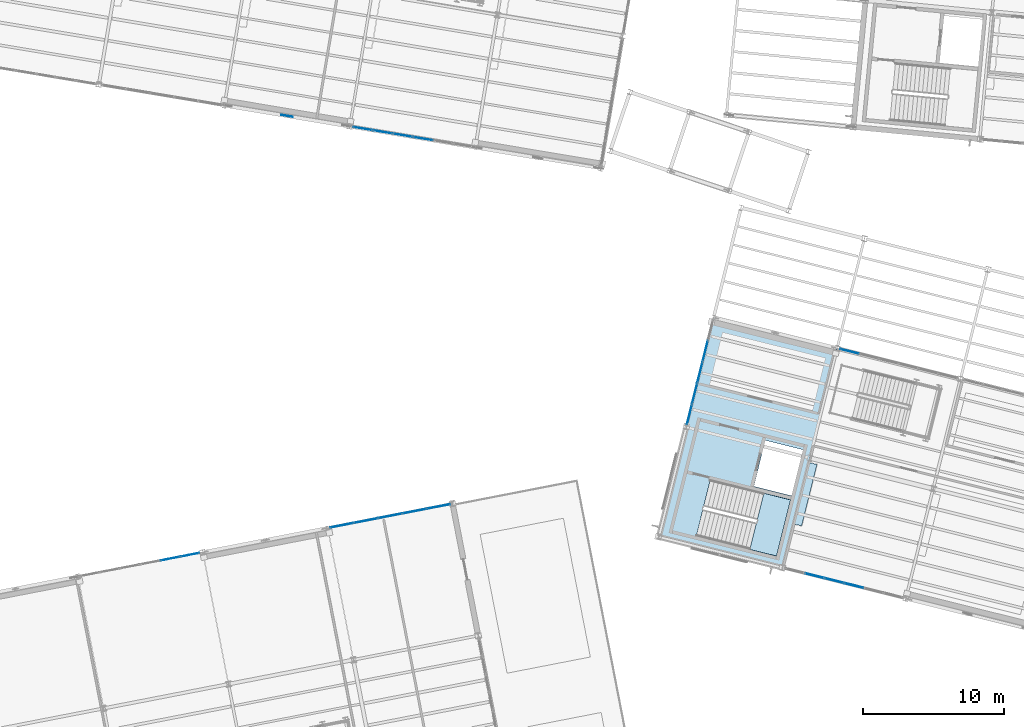
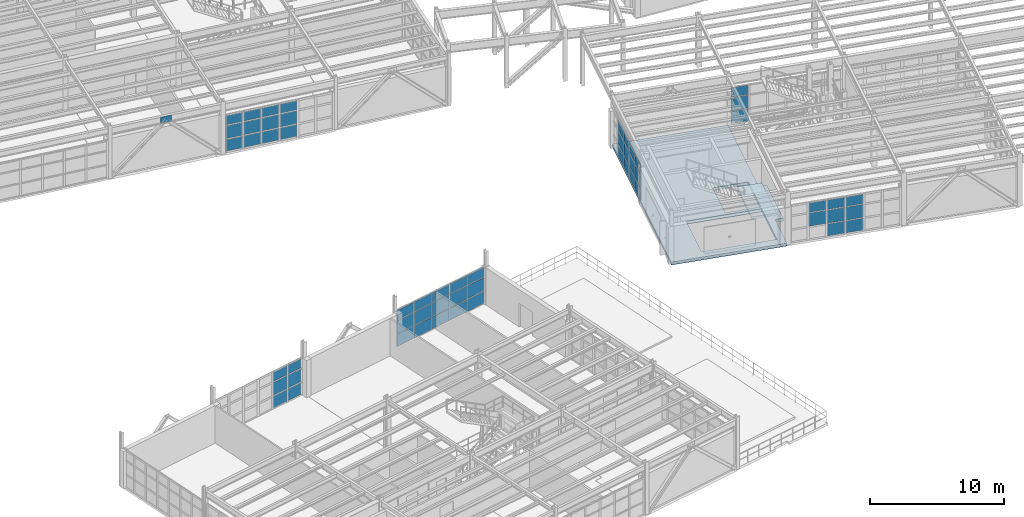
# One storey, part 66 of 109: 57 plates, 2 slabs, 7 elements without a shape of their own.
"""IFC4 building model written with IfcOpenShell, lengths in metres."""

from ifc_helpers import new_model, si_unit, direction, frame, origin, origin_2d, place, context, subcontext, project, spatial, polyline, rectangle, outline, extrude, material, layer, layer_set, type_object, element, aggregate, save


model = new_model("IFC4")

# Units and contexts
model_context = context("Model", 3, precision=1e-05, world=origin(), true_north=direction((0.0, 1.0)))
body_context = subcontext(model_context, "Body", "Model", "MODEL_VIEW")
ifc_project = project(units=[si_unit("LENGTHUNIT", "METRE"), si_unit("AREAUNIT", "SQUARE_METRE"), si_unit("VOLUMEUNIT", "CUBIC_METRE"), si_unit("PLANEANGLEUNIT", "RADIAN"), si_unit("MASSUNIT", "GRAM", prefix="KILO")], contexts=[model_context])

# Site, building, storey
site_placement = place(None, origin())
site = spatial("IfcSite", under=ifc_project, at=site_placement, CompositionType="ELEMENT")
building_placement = place(site_placement, origin())
building = spatial("IfcBuilding", under=site, at=building_placement, Name="Vireo Bluff Cable Station", CompositionType="ELEMENT")
storey_placement = place(building_placement, frame((0.0, 0.0, 4.800048828125)))
storey = spatial("IfcBuildingStorey", under=building, at=storey_placement, Name="L01", CompositionType="ELEMENT", Elevation=4.800048828125)

# Curtain wall, plates
ifc_material_1 = material(Name="Anodized Aluminium 6063-T6", Category="aluminium")
ifc_layer_1 = layer(ifc_material_1, 0.179931640625, Name="Anodized Aluminium 6063-T6")
ifc_layer_set_1 = layer_set([ifc_layer_1], Name="Anodized Aluminium 6063-T6")
curtain_wall_type_1 = type_object("IfcCurtainWallType", Name="CW-UNIT-1650", PredefinedType="USERDEFINED", material=ifc_layer_set_1)
curtain_wall_1_placement = place(storey_placement, origin())
curtain_wall_1 = element("IfcCurtainWall", 1, at=curtain_wall_1_placement, inside=storey, type_object=curtain_wall_type_1, Name="V1 L01 west curtain wall CW-005", ObjectType="UNITISED CURTAIN WALL", PredefinedType="USERDEFINED")
ifc_material_2 = material(Name="Laminated Low-E Insulated Glass", Category="glass")
ifc_layer_2 = layer(ifc_material_2, 0.028076171875, Name="Laminated Low-E Insulated Glass")
ifc_layer_set_2 = layer_set([ifc_layer_2], Name="Laminated Low-E Insulated Glass")
plate_type_1 = type_object("IfcPlateType", Name="CWP-28-1", PredefinedType="CURTAIN_PANEL", material=ifc_layer_set_2)
plate_1_placement = place(storey_placement, frame((56.15869140625, 46.65771484375, 0.0751953125), z_axis=(0.0, 0.0, 1.0), x_axis=(0.241921948216, 0.970295713157, 0.0)))
plate_1 = element("IfcPlate", 2, at=plate_1_placement, type_object=plate_type_1, Name="CW-005 panel 1.1", PredefinedType="CURTAIN_PANEL", context=body_context, shape_type="SweptSolid", body=[
    extrude(rectangle(XDim=1.435302734375, YDim=0.028076171875, at=origin_2d()), origin(), (0.0, 0.0, 1.0), 1.077392578125),
])
plate_2_placement = place(storey_placement, frame((56.15869140625, 46.65771484375, 1.227294921875), z_axis=(0.0, 0.0, 1.0), x_axis=(0.241921948216, 0.970295713157, 0.0)))
plate_2 = element("IfcPlate", 3, at=plate_2_placement, type_object=plate_type_1, Name="CW-005 panel 1.2", PredefinedType="CURTAIN_PANEL", context=body_context, shape_type="SweptSolid", body=[
    extrude(rectangle(XDim=1.435302734375, YDim=0.028076171875, at=origin_2d()), origin(), (0.0, 0.0, 1.0), 1.18310546875),
])
plate_3_placement = place(storey_placement, frame((56.15869140625, 46.65771484375, 2.4853515625), z_axis=(0.0, 0.0, 1.0), x_axis=(0.241921948216, 0.970295713157, 0.0)))
plate_3 = element("IfcPlate", 4, at=plate_3_placement, type_object=plate_type_1, Name="CW-005 panel 1.3", PredefinedType="CURTAIN_PANEL", context=body_context, shape_type="SweptSolid", body=[
    extrude(rectangle(XDim=1.435302734375, YDim=0.028076171875, at=origin_2d()), origin(), (0.0, 0.0, 1.0), 0.839599609375),
])
plate_4_placement = place(storey_placement, frame((56.528564453125, 48.141357421875, 0.0751953125), z_axis=(0.0, 0.0, 1.0), x_axis=(0.241921948216, 0.970295713157, 0.0)))
plate_4 = element("IfcPlate", 5, at=plate_4_placement, type_object=plate_type_1, Name="CW-005 panel 2.1", PredefinedType="CURTAIN_PANEL", context=body_context, shape_type="SweptSolid", body=[
    extrude(rectangle(XDim=1.472900390625, YDim=0.028076171875, at=origin_2d()), origin(), (0.0, 0.0, 1.0), 1.077392578125),
])
plate_5_placement = place(storey_placement, frame((56.528564453125, 48.141357421875, 1.227294921875), z_axis=(0.0, 0.0, 1.0), x_axis=(0.241921948216, 0.970295713157, 0.0)))
plate_5 = element("IfcPlate", 6, at=plate_5_placement, type_object=plate_type_1, Name="CW-005 panel 2.2", PredefinedType="CURTAIN_PANEL", context=body_context, shape_type="SweptSolid", body=[
    extrude(rectangle(XDim=1.472900390625, YDim=0.028076171875, at=origin_2d()), origin(), (0.0, 0.0, 1.0), 1.18310546875),
])
plate_6_placement = place(storey_placement, frame((56.528564453125, 48.141357421875, 2.4853515625), z_axis=(0.0, 0.0, 1.0), x_axis=(0.241921948216, 0.970295713157, 0.0)))
plate_6 = element("IfcPlate", 7, at=plate_6_placement, type_object=plate_type_1, Name="CW-005 panel 2.3", PredefinedType="CURTAIN_PANEL", context=body_context, shape_type="SweptSolid", body=[
    extrude(rectangle(XDim=1.472900390625, YDim=0.028076171875, at=origin_2d()), origin(), (0.0, 0.0, 1.0), 0.839599609375),
])
plate_7_placement = place(storey_placement, frame((56.903076171875, 49.643310546875, 0.0751953125), z_axis=(0.0, 0.0, 1.0), x_axis=(0.241921948216, 0.970295713157, 0.0)))
plate_7 = element("IfcPlate", 8, at=plate_7_placement, type_object=plate_type_1, Name="CW-005 panel 3.1", PredefinedType="CURTAIN_PANEL", context=body_context, shape_type="SweptSolid", body=[
    extrude(rectangle(XDim=1.472900390625, YDim=0.028076171875, at=origin_2d()), origin(), (0.0, 0.0, 1.0), 1.077392578125),
])
plate_8_placement = place(storey_placement, frame((56.903076171875, 49.643310546875, 1.227294921875), z_axis=(0.0, 0.0, 1.0), x_axis=(0.241921948216, 0.970295713157, 0.0)))
plate_8 = element("IfcPlate", 9, at=plate_8_placement, type_object=plate_type_1, Name="CW-005 panel 3.2", PredefinedType="CURTAIN_PANEL", context=body_context, shape_type="SweptSolid", body=[
    extrude(rectangle(XDim=1.472900390625, YDim=0.028076171875, at=origin_2d()), origin(), (0.0, 0.0, 1.0), 1.18310546875),
])
plate_9_placement = place(storey_placement, frame((56.903076171875, 49.643310546875, 2.4853515625), z_axis=(0.0, 0.0, 1.0), x_axis=(0.241921948216, 0.970295713157, 0.0)))
plate_9 = element("IfcPlate", 10, at=plate_9_placement, type_object=plate_type_1, Name="CW-005 panel 3.3", PredefinedType="CURTAIN_PANEL", context=body_context, shape_type="SweptSolid", body=[
    extrude(rectangle(XDim=1.472900390625, YDim=0.028076171875, at=origin_2d()), origin(), (0.0, 0.0, 1.0), 0.839599609375),
])
plate_10_placement = place(storey_placement, frame((57.277587890625, 51.145263671875, 0.0751953125), z_axis=(0.0, 0.0, 1.0), x_axis=(0.241921948216, 0.970295713157, 0.0)))
plate_10 = element("IfcPlate", 11, at=plate_10_placement, type_object=plate_type_1, Name="CW-005 panel 4.1", PredefinedType="CURTAIN_PANEL", context=body_context, shape_type="SweptSolid", body=[
    extrude(rectangle(XDim=1.472900390625, YDim=0.028076171875, at=origin_2d()), origin(), (0.0, 0.0, 1.0), 1.077392578125),
])
plate_11_placement = place(storey_placement, frame((57.277587890625, 51.145263671875, 1.227294921875), z_axis=(0.0, 0.0, 1.0), x_axis=(0.241921948216, 0.970295713157, 0.0)))
plate_11 = element("IfcPlate", 12, at=plate_11_placement, type_object=plate_type_1, Name="CW-005 panel 4.2", PredefinedType="CURTAIN_PANEL", context=body_context, shape_type="SweptSolid", body=[
    extrude(rectangle(XDim=1.472900390625, YDim=0.028076171875, at=origin_2d()), origin(), (0.0, 0.0, 1.0), 1.18310546875),
])
plate_12_placement = place(storey_placement, frame((57.277587890625, 51.145263671875, 2.4853515625), z_axis=(0.0, 0.0, 1.0), x_axis=(0.241921948216, 0.970295713157, 0.0)))
plate_12 = element("IfcPlate", 13, at=plate_12_placement, type_object=plate_type_1, Name="CW-005 panel 4.3", PredefinedType="CURTAIN_PANEL", context=body_context, shape_type="SweptSolid", body=[
    extrude(rectangle(XDim=1.472900390625, YDim=0.028076171875, at=origin_2d()), origin(), (0.0, 0.0, 1.0), 0.839599609375),
])
aggregate(curtain_wall_1, [plate_1, plate_2, plate_3, plate_4, plate_5, plate_6, plate_7, plate_8, plate_9, plate_10, plate_11, plate_12])

ifc_layer_3 = layer(ifc_material_1, 0.179931640625, Name="Anodized Aluminium 6063-T6")
ifc_layer_set_3 = layer_set([ifc_layer_3], Name="Anodized Aluminium 6063-T6")
curtain_wall_type_2 = type_object("IfcCurtainWallType", Name="CW-UNIT-1500", PredefinedType="USERDEFINED", material=ifc_layer_set_3)
curtain_wall_2_placement = place(storey_placement, origin())
curtain_wall_2 = element("IfcCurtainWall", 14, at=curtain_wall_2_placement, inside=storey, type_object=curtain_wall_type_2, Name="V4 L01 south curtain wall CW-085", ObjectType="UNITISED CURTAIN WALL", PredefinedType="USERDEFINED")
plate_13_placement = place(storey_placement, frame((37.31005859375, 66.1767578125, 0.0751953125), z_axis=(0.0, 0.0, 1.0), x_axis=(-0.986285599325, 0.165047619081, 0.0)))
plate_13 = element("IfcPlate", 15, at=plate_13_placement, type_object=plate_type_1, Name="CW-085 panel 3.1", PredefinedType="CURTAIN_PANEL", context=body_context, shape_type="SweptSolid", body=[
    extrude(rectangle(XDim=1.372314453125, YDim=0.028076171875, at=origin_2d()), origin(), (0.0, 0.0, 1.0), 1.077392578125),
])
plate_14_placement = place(storey_placement, frame((37.31005859375, 66.1767578125, 1.227294921875), z_axis=(0.0, 0.0, 1.0), x_axis=(-0.986285599325, 0.165047619081, 0.0)))
plate_14 = element("IfcPlate", 16, at=plate_14_placement, type_object=plate_type_1, Name="CW-085 panel 3.2", PredefinedType="CURTAIN_PANEL", context=body_context, shape_type="SweptSolid", body=[
    extrude(rectangle(XDim=1.372314453125, YDim=0.028076171875, at=origin_2d()), origin(), (0.0, 0.0, 1.0), 1.18310546875),
])
plate_15_placement = place(storey_placement, frame((37.31005859375, 66.1767578125, 2.4853515625), z_axis=(0.0, 0.0, 1.0), x_axis=(-0.986285599325, 0.165047619081, 0.0)))
plate_15 = element("IfcPlate", 17, at=plate_15_placement, type_object=plate_type_1, Name="CW-085 panel 3.3", PredefinedType="CURTAIN_PANEL", context=body_context, shape_type="SweptSolid", body=[
    extrude(rectangle(XDim=1.372314453125, YDim=0.028076171875, at=origin_2d()), origin(), (0.0, 0.0, 1.0), 0.839599609375),
])
plate_16_placement = place(storey_placement, frame((35.882568359375, 66.415771484375, 0.0751953125), z_axis=(0.0, 0.0, 1.0), x_axis=(-0.986285599325, 0.165047619081, 0.0)))
plate_16 = element("IfcPlate", 18, at=plate_16_placement, type_object=plate_type_1, Name="CW-085 panel 4.1", PredefinedType="CURTAIN_PANEL", context=body_context, shape_type="SweptSolid", body=[
    extrude(rectangle(XDim=1.372314453125, YDim=0.028076171875, at=origin_2d()), origin(), (0.0, 0.0, 1.0), 1.077392578125),
])
plate_17_placement = place(storey_placement, frame((35.882568359375, 66.415771484375, 1.227294921875), z_axis=(0.0, 0.0, 1.0), x_axis=(-0.986285599325, 0.165047619081, 0.0)))
plate_17 = element("IfcPlate", 19, at=plate_17_placement, type_object=plate_type_1, Name="CW-085 panel 4.2", PredefinedType="CURTAIN_PANEL", context=body_context, shape_type="SweptSolid", body=[
    extrude(rectangle(XDim=1.372314453125, YDim=0.028076171875, at=origin_2d()), origin(), (0.0, 0.0, 1.0), 1.18310546875),
])
plate_18_placement = place(storey_placement, frame((35.882568359375, 66.415771484375, 2.4853515625), z_axis=(0.0, 0.0, 1.0), x_axis=(-0.986285599325, 0.165047619081, 0.0)))
plate_18 = element("IfcPlate", 20, at=plate_18_placement, type_object=plate_type_1, Name="CW-085 panel 4.3", PredefinedType="CURTAIN_PANEL", context=body_context, shape_type="SweptSolid", body=[
    extrude(rectangle(XDim=1.372314453125, YDim=0.028076171875, at=origin_2d()), origin(), (0.0, 0.0, 1.0), 0.839599609375),
])
plate_19_placement = place(storey_placement, frame((34.455322265625, 66.654541015625, 0.0751953125), z_axis=(0.0, 0.0, 1.0), x_axis=(-0.986285599325, 0.165047619081, 0.0)))
plate_19 = element("IfcPlate", 21, at=plate_19_placement, type_object=plate_type_1, Name="CW-085 panel 5.1", PredefinedType="CURTAIN_PANEL", context=body_context, shape_type="SweptSolid", body=[
    extrude(rectangle(XDim=1.372314453125, YDim=0.028076171875, at=origin_2d()), origin(), (0.0, 0.0, 1.0), 1.077392578125),
])
plate_20_placement = place(storey_placement, frame((34.455322265625, 66.654541015625, 1.227294921875), z_axis=(0.0, 0.0, 1.0), x_axis=(-0.986285599325, 0.165047619081, 0.0)))
plate_20 = element("IfcPlate", 22, at=plate_20_placement, type_object=plate_type_1, Name="CW-085 panel 5.2", PredefinedType="CURTAIN_PANEL", context=body_context, shape_type="SweptSolid", body=[
    extrude(rectangle(XDim=1.372314453125, YDim=0.028076171875, at=origin_2d()), origin(), (0.0, 0.0, 1.0), 1.18310546875),
])
plate_21_placement = place(storey_placement, frame((34.455322265625, 66.654541015625, 2.4853515625), z_axis=(0.0, 0.0, 1.0), x_axis=(-0.986285599325, 0.165047619081, 0.0)))
plate_21 = element("IfcPlate", 23, at=plate_21_placement, type_object=plate_type_1, Name="CW-085 panel 5.3", PredefinedType="CURTAIN_PANEL", context=body_context, shape_type="SweptSolid", body=[
    extrude(rectangle(XDim=1.372314453125, YDim=0.028076171875, at=origin_2d()), origin(), (0.0, 0.0, 1.0), 0.839599609375),
])
plate_22_placement = place(storey_placement, frame((33.04638671875, 66.890380859375, 0.0751953125), z_axis=(0.0, 0.0, 1.0), x_axis=(-0.986285599325, 0.165047619081, 0.0)))
plate_22 = element("IfcPlate", 24, at=plate_22_placement, type_object=plate_type_1, Name="CW-085 panel 6.1", PredefinedType="CURTAIN_PANEL", context=body_context, shape_type="SweptSolid", body=[
    extrude(rectangle(XDim=1.334716796875, YDim=0.028076171875, at=origin_2d()), origin(), (0.0, 0.0, 1.0), 1.077392578125),
])
plate_23_placement = place(storey_placement, frame((33.04638671875, 66.890380859375, 1.227294921875), z_axis=(0.0, 0.0, 1.0), x_axis=(-0.986285599325, 0.165047619081, 0.0)))
plate_23 = element("IfcPlate", 25, at=plate_23_placement, type_object=plate_type_1, Name="CW-085 panel 6.2", PredefinedType="CURTAIN_PANEL", context=body_context, shape_type="SweptSolid", body=[
    extrude(rectangle(XDim=1.334716796875, YDim=0.028076171875, at=origin_2d()), origin(), (0.0, 0.0, 1.0), 1.18310546875),
])
plate_24_placement = place(storey_placement, frame((33.04638671875, 66.890380859375, 2.4853515625), z_axis=(0.0, 0.0, 1.0), x_axis=(-0.986285599325, 0.165047619081, 0.0)))
plate_24 = element("IfcPlate", 26, at=plate_24_placement, type_object=plate_type_1, Name="CW-085 panel 6.3", PredefinedType="CURTAIN_PANEL", context=body_context, shape_type="SweptSolid", body=[
    extrude(rectangle(XDim=1.334716796875, YDim=0.028076171875, at=origin_2d()), origin(), (0.0, 0.0, 1.0), 0.839599609375),
])
aggregate(curtain_wall_2, [plate_13, plate_14, plate_15, plate_16, plate_17, plate_18, plate_19, plate_20, plate_21, plate_22, plate_23, plate_24])

ifc_layer_4 = layer(ifc_material_1, 0.179931640625, Name="Anodized Aluminium 6063-T6")
ifc_layer_set_4 = layer_set([ifc_layer_4], Name="Anodized Aluminium 6063-T6")
curtain_wall_type_3 = type_object("IfcCurtainWallType", Name="CW-UNIT-1400", PredefinedType="USERDEFINED", material=ifc_layer_set_4)
curtain_wall_3_placement = place(storey_placement, origin())
curtain_wall_3 = element("IfcCurtainWall", 27, at=curtain_wall_3_placement, inside=storey, type_object=curtain_wall_type_3, Name="V1 L01 north curtain wall CW-006", ObjectType="UNITISED CURTAIN WALL", PredefinedType="USERDEFINED")
ifc_layer_5 = layer(ifc_material_2, 0.031982421875, Name="Laminated Low-E Insulated Glass")
ifc_layer_set_5 = layer_set([ifc_layer_5], Name="Laminated Low-E Insulated Glass")
plate_type_2 = type_object("IfcPlateType", Name="CWP-32-2", PredefinedType="CURTAIN_PANEL", material=ifc_layer_set_5)
plate_25_placement = place(storey_placement, frame((67.496826171875, 51.124755859375, 0.059814453125), z_axis=(0.0, 0.0, 1.0), x_axis=(0.970295734104, -0.241921864202, 0.0)))
plate_25 = element("IfcPlate", 28, at=plate_25_placement, type_object=plate_type_2, Name="CW-006 panel 1.1", PredefinedType="CURTAIN_PANEL", context=body_context, shape_type="SweptSolid", body=[
    extrude(rectangle(XDim=1.34765625, YDim=0.031982421875, at=origin_2d()), origin(), (0.0, 0.0, 1.0), 1.10009765625),
])
plate_26_placement = place(storey_placement, frame((67.496826171875, 51.124755859375, 1.2197265625), z_axis=(0.0, 0.0, 1.0), x_axis=(0.970295734104, -0.241921864202, 0.0)))
plate_26 = element("IfcPlate", 29, at=plate_26_placement, type_object=plate_type_2, Name="CW-006 panel 1.2", PredefinedType="CURTAIN_PANEL", context=body_context, shape_type="SweptSolid", body=[
    extrude(rectangle(XDim=1.34765625, YDim=0.031982421875, at=origin_2d()), origin(), (0.0, 0.0, 1.0), 1.197998046875),
])
plate_27_placement = place(storey_placement, frame((67.496826171875, 51.124755859375, 2.47802734375), z_axis=(0.0, 0.0, 1.0), x_axis=(0.970295734104, -0.241921864202, 0.0)))
plate_27 = element("IfcPlate", 30, at=plate_27_placement, type_object=plate_type_2, Name="CW-006 panel 1.3", PredefinedType="CURTAIN_PANEL", context=body_context, shape_type="SweptSolid", body=[
    extrude(rectangle(XDim=1.34765625, YDim=0.031982421875, at=origin_2d()), origin(), (0.0, 0.0, 1.0), 0.862060546875),
])
aggregate(curtain_wall_3, [plate_25, plate_26, plate_27])

curtain_wall_4_placement = place(storey_placement, origin())
curtain_wall_4 = element("IfcCurtainWall", 31, at=curtain_wall_4_placement, inside=storey, type_object=curtain_wall_type_2, Name="V5 L01 north curtain wall CW-121", ObjectType="UNITISED CURTAIN WALL", PredefinedType="USERDEFINED")
plate_28_placement = place(storey_placement, frame((19.4169921875, 36.461181640625, 0.0751953125), z_axis=(0.0, 0.0, 1.0), x_axis=(0.981627185572, 0.190808984446, 0.0)))
plate_28 = element("IfcPlate", 32, at=plate_28_placement, type_object=plate_type_2, Name="CW-121 panel 5.1", PredefinedType="CURTAIN_PANEL", context=body_context, shape_type="SweptSolid", body=[
    extrude(rectangle(XDim=1.3720703125, YDim=0.031982421875, at=origin_2d()), origin(), (0.0, 0.0, 1.0), 1.077392578125),
])
plate_29_placement = place(storey_placement, frame((19.4169921875, 36.461181640625, 1.227294921875), z_axis=(0.0, 0.0, 1.0), x_axis=(0.981627185572, 0.190808984446, 0.0)))
plate_29 = element("IfcPlate", 33, at=plate_29_placement, type_object=plate_type_2, Name="CW-121 panel 5.2", PredefinedType="CURTAIN_PANEL", context=body_context, shape_type="SweptSolid", body=[
    extrude(rectangle(XDim=1.3720703125, YDim=0.031982421875, at=origin_2d()), origin(), (0.0, 0.0, 1.0), 1.18310546875),
])
plate_30_placement = place(storey_placement, frame((19.4169921875, 36.461181640625, 2.4853515625), z_axis=(0.0, 0.0, 1.0), x_axis=(0.981627185572, 0.190808984446, 0.0)))
plate_30 = element("IfcPlate", 34, at=plate_30_placement, type_object=plate_type_2, Name="CW-121 panel 5.3", PredefinedType="CURTAIN_PANEL", context=body_context, shape_type="SweptSolid", body=[
    extrude(rectangle(XDim=1.3720703125, YDim=0.031982421875, at=origin_2d()), origin(), (0.0, 0.0, 1.0), 0.839599609375),
])
plate_31_placement = place(storey_placement, frame((20.819091796875, 36.733642578125, 0.0751953125), z_axis=(0.0, 0.0, 1.0), x_axis=(0.981627185572, 0.190808984446, 0.0)))
plate_31 = element("IfcPlate", 35, at=plate_31_placement, type_object=plate_type_2, Name="CW-121 panel 6.1", PredefinedType="CURTAIN_PANEL", context=body_context, shape_type="SweptSolid", body=[
    extrude(rectangle(XDim=1.33447265625, YDim=0.031982421875, at=origin_2d()), origin(), (0.0, 0.0, 1.0), 1.077392578125),
])
plate_32_placement = place(storey_placement, frame((20.819091796875, 36.733642578125, 1.227294921875), z_axis=(0.0, 0.0, 1.0), x_axis=(0.981627185572, 0.190808984446, 0.0)))
plate_32 = element("IfcPlate", 36, at=plate_32_placement, type_object=plate_type_2, Name="CW-121 panel 6.2", PredefinedType="CURTAIN_PANEL", context=body_context, shape_type="SweptSolid", body=[
    extrude(rectangle(XDim=1.33447265625, YDim=0.031982421875, at=origin_2d()), origin(), (0.0, 0.0, 1.0), 1.18310546875),
])
plate_33_placement = place(storey_placement, frame((20.819091796875, 36.733642578125, 2.4853515625), z_axis=(0.0, 0.0, 1.0), x_axis=(0.981627185572, 0.190808984446, 0.0)))
plate_33 = element("IfcPlate", 37, at=plate_33_placement, type_object=plate_type_2, Name="CW-121 panel 6.3", PredefinedType="CURTAIN_PANEL", context=body_context, shape_type="SweptSolid", body=[
    extrude(rectangle(XDim=1.33447265625, YDim=0.031982421875, at=origin_2d()), origin(), (0.0, 0.0, 1.0), 0.839599609375),
])
aggregate(curtain_wall_4, [plate_28, plate_29, plate_30, plate_31, plate_32, plate_33])

curtain_wall_5_placement = place(storey_placement, origin())
curtain_wall_5 = element("IfcCurtainWall", 38, at=curtain_wall_5_placement, inside=storey, type_object=curtain_wall_type_1, Name="V5 L01 north curtain wall CW-122", ObjectType="UNITISED CURTAIN WALL", PredefinedType="USERDEFINED")
ifc_layer_6 = layer(ifc_material_2, 0.035888671875, Name="Laminated Low-E Insulated Glass")
ifc_layer_set_6 = layer_set([ifc_layer_6], Name="Laminated Low-E Insulated Glass")
plate_type_3 = type_object("IfcPlateType", Name="CWP-36-3", PredefinedType="CURTAIN_PANEL", material=ifc_layer_set_6)
plate_34_placement = place(storey_placement, frame((31.56591796875, 38.822509765625, 0.059814453125), z_axis=(0.0, 0.0, 1.0), x_axis=(0.981627179771, 0.190809014291, 0.0)))
plate_34 = element("IfcPlate", 39, at=plate_34_placement, type_object=plate_type_3, Name="CW-122 panel 1.1", PredefinedType="CURTAIN_PANEL", context=body_context, shape_type="SweptSolid", body=[
    extrude(rectangle(XDim=1.658203125, YDim=0.035888671875, at=origin_2d()), origin(), (0.0, 0.0, 1.0), 1.10009765625),
])
plate_35_placement = place(storey_placement, frame((31.56591796875, 38.822509765625, 1.2197265625), z_axis=(0.0, 0.0, 1.0), x_axis=(0.981627179771, 0.190809014291, 0.0)))
plate_35 = element("IfcPlate", 40, at=plate_35_placement, type_object=plate_type_3, Name="CW-122 panel 1.2", PredefinedType="CURTAIN_PANEL", context=body_context, shape_type="SweptSolid", body=[
    extrude(rectangle(XDim=1.658203125, YDim=0.035888671875, at=origin_2d()), origin(), (0.0, 0.0, 1.0), 1.197998046875),
])
plate_36_placement = place(storey_placement, frame((31.56591796875, 38.822509765625, 2.47802734375), z_axis=(0.0, 0.0, 1.0), x_axis=(0.981627179771, 0.190809014291, 0.0)))
plate_36 = element("IfcPlate", 41, at=plate_36_placement, type_object=plate_type_3, Name="CW-122 panel 1.3", PredefinedType="CURTAIN_PANEL", context=body_context, shape_type="SweptSolid", body=[
    extrude(rectangle(XDim=1.658203125, YDim=0.035888671875, at=origin_2d()), origin(), (0.0, 0.0, 1.0), 0.862060546875),
])
plate_37_placement = place(storey_placement, frame((33.267333984375, 39.1533203125, 0.059814453125), z_axis=(0.0, 0.0, 1.0), x_axis=(0.981627179771, 0.190809014291, 0.0)))
plate_37 = element("IfcPlate", 42, at=plate_37_placement, type_object=plate_type_3, Name="CW-122 panel 2.1", PredefinedType="CURTAIN_PANEL", context=body_context, shape_type="SweptSolid", body=[
    extrude(rectangle(XDim=1.688232421875, YDim=0.035888671875, at=origin_2d()), origin(), (0.0, 0.0, 1.0), 1.10009765625),
])
plate_38_placement = place(storey_placement, frame((33.267333984375, 39.1533203125, 1.2197265625), z_axis=(0.0, 0.0, 1.0), x_axis=(0.981627179771, 0.190809014291, 0.0)))
plate_38 = element("IfcPlate", 43, at=plate_38_placement, type_object=plate_type_3, Name="CW-122 panel 2.2", PredefinedType="CURTAIN_PANEL", context=body_context, shape_type="SweptSolid", body=[
    extrude(rectangle(XDim=1.688232421875, YDim=0.035888671875, at=origin_2d()), origin(), (0.0, 0.0, 1.0), 1.197998046875),
])
plate_39_placement = place(storey_placement, frame((33.267333984375, 39.1533203125, 2.47802734375), z_axis=(0.0, 0.0, 1.0), x_axis=(0.981627179771, 0.190809014291, 0.0)))
plate_39 = element("IfcPlate", 44, at=plate_39_placement, type_object=plate_type_3, Name="CW-122 panel 2.3", PredefinedType="CURTAIN_PANEL", context=body_context, shape_type="SweptSolid", body=[
    extrude(rectangle(XDim=1.688232421875, YDim=0.035888671875, at=origin_2d()), origin(), (0.0, 0.0, 1.0), 0.862060546875),
])
plate_40_placement = place(storey_placement, frame((34.9833984375, 39.48681640625, 0.059814453125), z_axis=(0.0, 0.0, 1.0), x_axis=(0.981627179771, 0.190809014291, 0.0)))
plate_40 = element("IfcPlate", 45, at=plate_40_placement, type_object=plate_type_3, Name="CW-122 panel 3.1", PredefinedType="CURTAIN_PANEL", context=body_context, shape_type="SweptSolid", body=[
    extrude(rectangle(XDim=1.688232421875, YDim=0.035888671875, at=origin_2d()), origin(), (0.0, 0.0, 1.0), 1.10009765625),
])
plate_41_placement = place(storey_placement, frame((34.9833984375, 39.48681640625, 1.2197265625), z_axis=(0.0, 0.0, 1.0), x_axis=(0.981627179771, 0.190809014291, 0.0)))
plate_41 = element("IfcPlate", 46, at=plate_41_placement, type_object=plate_type_3, Name="CW-122 panel 3.2", PredefinedType="CURTAIN_PANEL", context=body_context, shape_type="SweptSolid", body=[
    extrude(rectangle(XDim=1.688232421875, YDim=0.035888671875, at=origin_2d()), origin(), (0.0, 0.0, 1.0), 1.197998046875),
])
plate_42_placement = place(storey_placement, frame((34.9833984375, 39.48681640625, 2.47802734375), z_axis=(0.0, 0.0, 1.0), x_axis=(0.981627179771, 0.190809014291, 0.0)))
plate_42 = element("IfcPlate", 47, at=plate_42_placement, type_object=plate_type_3, Name="CW-122 panel 3.3", PredefinedType="CURTAIN_PANEL", context=body_context, shape_type="SweptSolid", body=[
    extrude(rectangle(XDim=1.688232421875, YDim=0.035888671875, at=origin_2d()), origin(), (0.0, 0.0, 1.0), 0.862060546875),
])
plate_43_placement = place(storey_placement, frame((36.69970703125, 39.820556640625, 0.059814453125), z_axis=(0.0, 0.0, 1.0), x_axis=(0.981627179771, 0.190809014291, 0.0)))
plate_43 = element("IfcPlate", 48, at=plate_43_placement, type_object=plate_type_3, Name="CW-122 panel 4.1", PredefinedType="CURTAIN_PANEL", context=body_context, shape_type="SweptSolid", body=[
    extrude(rectangle(XDim=1.688232421875, YDim=0.035888671875, at=origin_2d()), origin(), (0.0, 0.0, 1.0), 1.10009765625),
])
plate_44_placement = place(storey_placement, frame((36.69970703125, 39.820556640625, 1.2197265625), z_axis=(0.0, 0.0, 1.0), x_axis=(0.981627179771, 0.190809014291, 0.0)))
plate_44 = element("IfcPlate", 49, at=plate_44_placement, type_object=plate_type_3, Name="CW-122 panel 4.2", PredefinedType="CURTAIN_PANEL", context=body_context, shape_type="SweptSolid", body=[
    extrude(rectangle(XDim=1.688232421875, YDim=0.035888671875, at=origin_2d()), origin(), (0.0, 0.0, 1.0), 1.197998046875),
])
plate_45_placement = place(storey_placement, frame((36.69970703125, 39.820556640625, 2.47802734375), z_axis=(0.0, 0.0, 1.0), x_axis=(0.981627179771, 0.190809014291, 0.0)))
plate_45 = element("IfcPlate", 50, at=plate_45_placement, type_object=plate_type_3, Name="CW-122 panel 4.3", PredefinedType="CURTAIN_PANEL", context=body_context, shape_type="SweptSolid", body=[
    extrude(rectangle(XDim=1.688232421875, YDim=0.035888671875, at=origin_2d()), origin(), (0.0, 0.0, 1.0), 0.862060546875),
])
plate_46_placement = place(storey_placement, frame((38.401123046875, 40.151123046875, 0.059814453125), z_axis=(0.0, 0.0, 1.0), x_axis=(0.981627179771, 0.190809014291, 0.0)))
plate_46 = element("IfcPlate", 51, at=plate_46_placement, type_object=plate_type_3, Name="CW-122 panel 5.1", PredefinedType="CURTAIN_PANEL", context=body_context, shape_type="SweptSolid", body=[
    extrude(rectangle(XDim=1.658203125, YDim=0.035888671875, at=origin_2d()), origin(), (0.0, 0.0, 1.0), 1.10009765625),
])
plate_47_placement = place(storey_placement, frame((38.401123046875, 40.151123046875, 1.2197265625), z_axis=(0.0, 0.0, 1.0), x_axis=(0.981627179771, 0.190809014291, 0.0)))
plate_47 = element("IfcPlate", 52, at=plate_47_placement, type_object=plate_type_3, Name="CW-122 panel 5.2", PredefinedType="CURTAIN_PANEL", context=body_context, shape_type="SweptSolid", body=[
    extrude(rectangle(XDim=1.658203125, YDim=0.035888671875, at=origin_2d()), origin(), (0.0, 0.0, 1.0), 1.197998046875),
])
plate_48_placement = place(storey_placement, frame((38.401123046875, 40.151123046875, 2.47802734375), z_axis=(0.0, 0.0, 1.0), x_axis=(0.981627179771, 0.190809014291, 0.0)))
plate_48 = element("IfcPlate", 53, at=plate_48_placement, type_object=plate_type_3, Name="CW-122 panel 5.3", PredefinedType="CURTAIN_PANEL", context=body_context, shape_type="SweptSolid", body=[
    extrude(rectangle(XDim=1.658203125, YDim=0.035888671875, at=origin_2d()), origin(), (0.0, 0.0, 1.0), 0.862060546875),
])
aggregate(curtain_wall_5, [plate_34, plate_35, plate_36, plate_37, plate_38, plate_39, plate_40, plate_41, plate_42, plate_43, plate_44, plate_45, plate_46, plate_47, plate_48])

curtain_wall_6_placement = place(storey_placement, origin())
curtain_wall_6 = element("IfcCurtainWall", 54, at=curtain_wall_6_placement, inside=storey, type_object=curtain_wall_type_2, Name="V1 L01 south curtain wall CW-004", ObjectType="UNITISED CURTAIN WALL", PredefinedType="USERDEFINED")
ifc_material_3 = material(Name="Insulated Spandrel Glass Panel", Category="glass")
ifc_layer_7 = layer(ifc_material_3, 0.048095703125, Name="Insulated Spandrel Glass Panel")
ifc_layer_set_7 = layer_set([ifc_layer_7], Name="Insulated Spandrel Glass Panel")
plate_type_4 = type_object("IfcPlateType", Name="CWP-48-5", PredefinedType="CURTAIN_PANEL", material=ifc_layer_set_7)
plate_49_placement = place(storey_placement, frame((67.79638671875, 34.56005859375, 0.06494140625), z_axis=(0.0, 0.0, 1.0), x_axis=(-0.970295706891, 0.241921973348, 0.0)))
plate_49 = element("IfcPlate", 55, at=plate_49_placement, type_object=plate_type_4, Name="CW-004 panel 3.1", PredefinedType="CURTAIN_PANEL", context=body_context, shape_type="SweptSolid", body=[
    extrude(rectangle(XDim=1.37255859375, YDim=0.048095703125, at=origin_2d()), origin(), (0.0, 0.0, 1.0), 1.092529296875),
])
plate_50_placement = place(storey_placement, frame((67.79638671875, 34.56005859375, 1.22216796875), z_axis=(0.0, 0.0, 1.0), x_axis=(-0.970295706891, 0.241921973348, 0.0)))
plate_50 = element("IfcPlate", 56, at=plate_50_placement, type_object=plate_type_4, Name="CW-004 panel 3.2", PredefinedType="CURTAIN_PANEL", context=body_context, shape_type="SweptSolid", body=[
    extrude(rectangle(XDim=1.37255859375, YDim=0.048095703125, at=origin_2d()), origin(), (0.0, 0.0, 1.0), 1.193115234375),
])
plate_51_placement = place(storey_placement, frame((67.79638671875, 34.56005859375, 2.48046875), z_axis=(0.0, 0.0, 1.0), x_axis=(-0.970295706891, 0.241921973348, 0.0)))
plate_51 = element("IfcPlate", 57, at=plate_51_placement, type_object=plate_type_4, Name="CW-004 panel 3.3", PredefinedType="CURTAIN_PANEL", context=body_context, shape_type="SweptSolid", body=[
    extrude(rectangle(XDim=1.37255859375, YDim=0.048095703125, at=origin_2d()), origin(), (0.0, 0.0, 1.0), 0.8544921875),
])
plate_52_placement = place(storey_placement, frame((66.401611328125, 34.907958984375, 0.06494140625), z_axis=(0.0, 0.0, 1.0), x_axis=(-0.970295706891, 0.241921973348, 0.0)))
plate_52 = element("IfcPlate", 58, at=plate_52_placement, type_object=plate_type_4, Name="CW-004 panel 4.1", PredefinedType="CURTAIN_PANEL", context=body_context, shape_type="SweptSolid", body=[
    extrude(rectangle(XDim=1.37255859375, YDim=0.048095703125, at=origin_2d()), origin(), (0.0, 0.0, 1.0), 1.092529296875),
])
plate_53_placement = place(storey_placement, frame((66.401611328125, 34.907958984375, 1.22216796875), z_axis=(0.0, 0.0, 1.0), x_axis=(-0.970295706891, 0.241921973348, 0.0)))
plate_53 = element("IfcPlate", 59, at=plate_53_placement, type_object=plate_type_4, Name="CW-004 panel 4.2", PredefinedType="CURTAIN_PANEL", context=body_context, shape_type="SweptSolid", body=[
    extrude(rectangle(XDim=1.37255859375, YDim=0.048095703125, at=origin_2d()), origin(), (0.0, 0.0, 1.0), 1.193115234375),
])
plate_54_placement = place(storey_placement, frame((66.401611328125, 34.907958984375, 2.48046875), z_axis=(0.0, 0.0, 1.0), x_axis=(-0.970295706891, 0.241921973348, 0.0)))
plate_54 = element("IfcPlate", 60, at=plate_54_placement, type_object=plate_type_4, Name="CW-004 panel 4.3", PredefinedType="CURTAIN_PANEL", context=body_context, shape_type="SweptSolid", body=[
    extrude(rectangle(XDim=1.37255859375, YDim=0.048095703125, at=origin_2d()), origin(), (0.0, 0.0, 1.0), 0.8544921875),
])
plate_55_placement = place(storey_placement, frame((65.006591796875, 35.255859375, 1.22216796875), z_axis=(0.0, 0.0, 1.0), x_axis=(-0.970295706891, 0.241921973348, 0.0)))
plate_55 = element("IfcPlate", 61, at=plate_55_placement, type_object=plate_type_4, Name="CW-004 panel 5.2", PredefinedType="CURTAIN_PANEL", context=body_context, shape_type="SweptSolid", body=[
    extrude(rectangle(XDim=1.37255859375, YDim=0.048095703125, at=origin_2d()), origin(), (0.0, 0.0, 1.0), 1.193115234375),
])
plate_56_placement = place(storey_placement, frame((65.006591796875, 35.255859375, 2.48046875), z_axis=(0.0, 0.0, 1.0), x_axis=(-0.970295706891, 0.241921973348, 0.0)))
plate_56 = element("IfcPlate", 62, at=plate_56_placement, type_object=plate_type_4, Name="CW-004 panel 5.3", PredefinedType="CURTAIN_PANEL", context=body_context, shape_type="SweptSolid", body=[
    extrude(rectangle(XDim=1.37255859375, YDim=0.048095703125, at=origin_2d()), origin(), (0.0, 0.0, 1.0), 0.8544921875),
])
aggregate(curtain_wall_6, [plate_49, plate_50, plate_51, plate_52, plate_53, plate_54, plate_55, plate_56])

# Slab
ifc_material_4 = material(Name="Concrete f'c 40 MPa", Category="concrete")
ifc_layer_8 = layer(ifc_material_4, 0.260009765625, Name="Concrete f'c 40 MPa")
ifc_layer_set_8 = layer_set([ifc_layer_8], Name="Concrete f'c 40 MPa")
slab_type_1 = type_object("IfcSlabType", Name="FLOORSLAB-260", PredefinedType="FLOOR", material=ifc_layer_set_8)
slab_1_placement = place(storey_placement, frame((0.0, 0.0, -0.260009765625)))
element("IfcSlab", 63, at=slab_1_placement, inside=storey, type_object=slab_type_1, Name="V1 L01 floor slab bay 1", PredefinedType="FLOOR", context=body_context, shape_type="SweptSolid", body=[
    extrude(outline(polyline([(54.0, 38.0), (62.722900390625, 35.8251953125), (63.4970703125, 38.93017578125), (64.0986328125, 38.780029296875), (65.1826171875, 43.126953125), (64.580810546875, 43.277099609375), (66.59375, 51.349853515625), (57.870849609375, 53.524658203125), (54.0, 38.0)]), holes=[polyline([(56.64453125, 38.06298828125), (57.635986328125, 42.03955078125), (63.310791015625, 40.624755859375), (62.3193359375, 36.64794921875), (56.64453125, 38.06298828125)]), polyline([(60.717041015625, 41.582275390625), (61.527099609375, 44.8310546875), (64.19384765625, 44.166259765625), (63.3837890625, 40.917236328125), (60.717041015625, 41.582275390625)])]), origin(), (0.0, 0.0, 1.0), 0.260009765625),
])

# Plate
ifc_material_5 = material(Name="Steel ASTM A572 Gr. 50", Category="steel")
ifc_layer_9 = layer(ifc_material_5, 0.035888671875, Name="Steel ASTM A572 Gr. 50")
ifc_layer_set_9 = layer_set([ifc_layer_9], Name="Steel ASTM A572 Gr. 50")
plate_type_5 = type_object("IfcPlateType", Name="GUSSET-840X580X36", PredefinedType="USERDEFINED", material=ifc_layer_set_9)
plate_57_placement = place(storey_placement, frame((27.69140625, 67.786376953125, 3.889892578125), z_axis=(0.0, 0.0, 1.0), x_axis=(0.986285601537, -0.165047605861, 0.0)))
element("IfcPlate", 64, at=plate_57_placement, inside=storey, type_object=plate_type_5, Name="V4 L01 chevron gusset plate 199", ObjectType="GUSSET PLATE", PredefinedType="USERDEFINED", context=body_context, shape_type="SweptSolid", body=[
    extrude(rectangle(XDim=0.840087890625, YDim=0.035888671875, at=origin_2d()), origin(), (0.0, 0.0, 1.0), 0.580078125),
])

# Stair, slab
stair_type = type_object("IfcStairType", Name="STAIR-HT-1950", PredefinedType="HALF_TURN_STAIR", material=ifc_material_4)
stair_placement = place(storey_placement, origin())
stair = element("IfcStair", 65, at=stair_placement, inside=storey, type_object=stair_type, Name="L01 CORE-2 Exit Stair ST-02", PredefinedType="HALF_TURN_STAIR")
ifc_layer_10 = layer(ifc_material_4, 0.199951171875, Name="Concrete f'c 40 MPa")
ifc_layer_set_10 = layer_set([ifc_layer_10], Name="Concrete f'c 40 MPa")
slab_type_2 = type_object("IfcSlabType", Name="LANDING-200", PredefinedType="LANDING", material=ifc_layer_set_10)
slab_2_placement = place(storey_placement, frame((0.0, 0.0, 2.199951171875)))
slab_2 = element("IfcSlab", 66, at=slab_2_placement, type_object=slab_type_2, Name="ST-02 landing 1", PredefinedType="LANDING", context=body_context, shape_type="SweptSolid", body=[
    extrude(outline(polyline([(60.427001953125, 37.118896484375), (62.31982421875, 36.64697265625), (63.311767578125, 40.625244140625), (61.4189453125, 41.09716796875), (60.427001953125, 37.118896484375)])), origin(), (0.0, 0.0, 1.0), 0.199951171875),
])
aggregate(stair, [slab_2])

save(model, "model.ifc")
